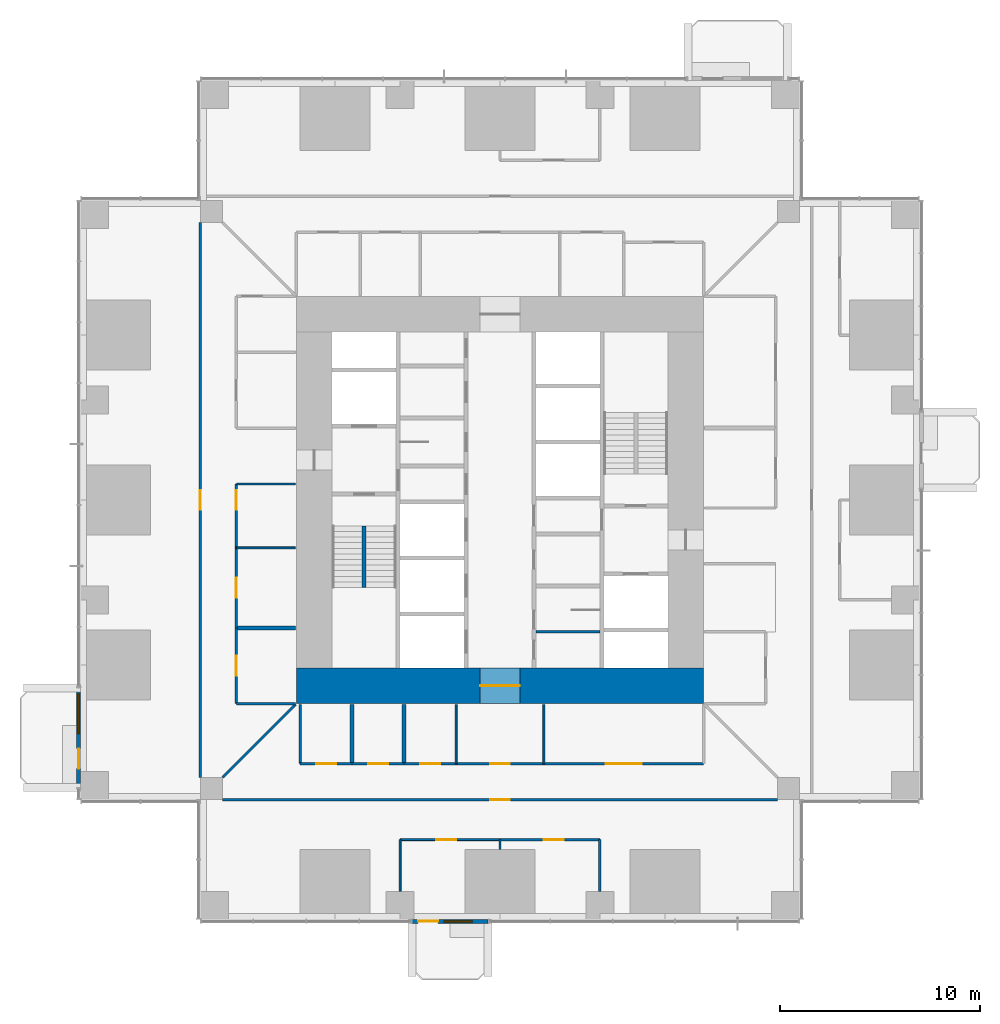
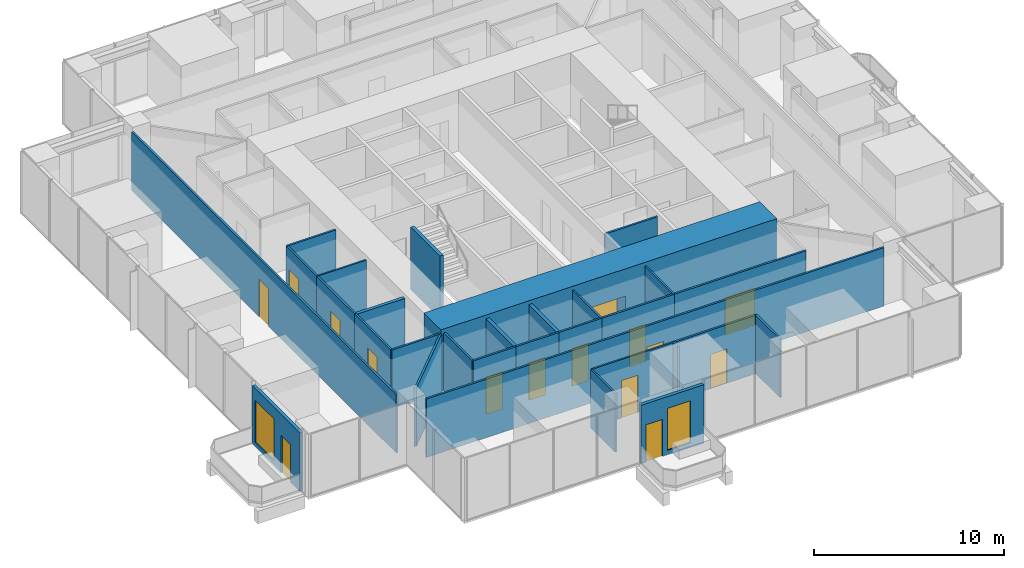
# One storey, part 11 of 17: 30 walls, 15 doors, 2 windows, 17 openings.
"""IFC4 building model written with IfcOpenShell, lengths in metres."""

import ifcopenshell
import ifcopenshell.guid

model = None  # the IFC model being written
_history = None  # IfcOwnerHistory: only IFC2X3 demands one
_inside = {}  # id of a spatial element -> (the spatial element, [elements in it])
_under = {}  # id of a project, library or spatial element -> (it, [spatial elements below it])
_declared = {}  # id of a project -> (the project, [libraries it declares])
_typed = {}  # id of a type object -> (the type object, [elements of that type])
_made_of = {}  # id of a material, layer set ... -> (it, [elements and type objects made of it])


def new_model(schema):
    """Start an empty IFC model of exactly this schema.

    Asked for "IFC4X3", IfcOpenShell would pick the latest addendum, in which some entities
    have other attributes; the version numbers below select the first issue.
    IFC2X3 requires an IfcOwnerHistory on every rooted entity: one is made here for all.
    """
    global model, _history
    if schema == "IFC4X3":
        model = ifcopenshell.file(schema_version=(4, 3, 0, 0))
    else:
        model = ifcopenshell.file(schema=schema)
    _inside.clear()
    _under.clear()
    _declared.clear()
    _typed.clear()
    _made_of.clear()
    _history = None
    if model.schema == "IFC2X3":
        org = make("IfcOrganization", Name="unknown")
        user = make(
            "IfcPersonAndOrganization",
            ThePerson=make("IfcPerson", FamilyName="unknown"),
            TheOrganization=org,
        )
        app = make(
            "IfcApplication",
            ApplicationDeveloper=org,
            Version="unknown",
            ApplicationFullName="unknown",
            ApplicationIdentifier="unknown",
        )
        _history = make(
            "IfcOwnerHistory",
            OwningUser=user,
            OwningApplication=app,
            ChangeAction="ADDED",
            CreationDate=0,
        )
    return model


def make(cls, **values):
    """One entity of the class cls with the attributes given. An attribute that is None is left unset."""
    return model.create_entity(
        cls, **{name: value for name, value in values.items() if value is not None}
    )


def rooted(cls, **values):
    """An entity with a GlobalId (a new one), such as an element, a storey or a relation."""
    return make(cls, GlobalId=ifcopenshell.guid.new(), OwnerHistory=_history, **values)


def si_unit(unit_type, name, prefix=None):
    """IfcSIUnit, for example si_unit("LENGTHUNIT", "METRE", prefix="MILLI")."""
    return make("IfcSIUnit", UnitType=unit_type, Prefix=prefix, Name=name)


def assignment(units):
    """IfcUnitAssignment: the units of a project."""
    return None if units is None else make("IfcUnitAssignment", Units=units)


def point(xyz):
    """IfcCartesianPoint."""
    return None if xyz is None else make("IfcCartesianPoint", Coordinates=xyz)


def direction(xyz):
    """IfcDirection."""
    return None if xyz is None else make("IfcDirection", DirectionRatios=xyz)


def frame(location, z_axis=None, x_axis=None):
    """IfcAxis2Placement3D, a coordinate frame: its origin and axes. An axis left out is left unset."""
    return make(
        "IfcAxis2Placement3D",
        Location=point(location),
        Axis=direction(z_axis),
        RefDirection=direction(x_axis),
    )


def frame_2d(location, x_axis=None):
    """IfcAxis2Placement2D, a coordinate frame in the plane: its origin and x axis."""
    return make(
        "IfcAxis2Placement2D", Location=point(location), RefDirection=direction(x_axis)
    )


def origin():
    """The frame at (0, 0, 0) with its axes left unset."""
    return frame((0.0, 0.0, 0.0))


def place(relative_to, where):
    """IfcLocalPlacement: puts the frame where relative to a parent placement (None: the world)."""
    return make(
        "IfcLocalPlacement", PlacementRelTo=relative_to, RelativePlacement=where
    )


def context(
    kind, dimensions, precision=None, world=None, true_north=None, identifier=None
):
    """IfcGeometricRepresentationContext, for example the 3D "Model" context."""
    return make(
        "IfcGeometricRepresentationContext",
        ContextIdentifier=identifier,
        ContextType=kind,
        CoordinateSpaceDimension=dimensions,
        Precision=precision,
        WorldCoordinateSystem=world,
        TrueNorth=true_north,
    )


def subcontext(parent, identifier, kind, view, scale=None):
    """IfcGeometricRepresentationSubContext, for example "Body" below "Model"."""
    return make(
        "IfcGeometricRepresentationSubContext",
        ContextIdentifier=identifier,
        ContextType=kind,
        ParentContext=parent,
        TargetScale=scale,
        TargetView=view,
    )


def project(units=None, contexts=None):
    """IfcProject with its units and contexts."""
    return rooted(
        "IfcProject",
        Name="project",
        RepresentationContexts=contexts,
        UnitsInContext=assignment(units),
    )


def spatial(cls, under=None, at=None, **own):
    """A site, building, storey or space (cls), placed at a placement, below another one or the project."""
    s = rooted(cls, ObjectPlacement=at, **own)
    if under is not None:
        _under.setdefault(under.id(), (under, []))[1].append(s)
    return s


def profile(cls, at=None, kind="AREA", **sizes):
    """A parametric profile (cls). Its sizes go by their IFC names, for example OverallWidth=200.0."""
    return make(cls, ProfileType=kind, Position=at, **sizes)


def rectangle(**sizes):
    """IfcRectangleProfileDef."""
    return profile("IfcRectangleProfileDef", **sizes)


def extrude(swept, where, along, depth):
    """IfcExtrudedAreaSolid: the profile swept, set in the frame where, extruded along a direction by depth."""
    return make(
        "IfcExtrudedAreaSolid",
        SweptArea=swept,
        Position=where,
        ExtrudedDirection=direction(along),
        Depth=depth,
    )


def shape(context_of_items, identifier, shape_type, items):
    """IfcShapeRepresentation: the items that make up one representation, for example the "Body"."""
    return make(
        "IfcShapeRepresentation",
        ContextOfItems=context_of_items,
        RepresentationIdentifier=identifier,
        RepresentationType=shape_type,
        Items=items,
    )


def material(Name=None, Category=None):
    """IfcMaterial."""
    return make("IfcMaterial", Name=Name, Category=Category)


def layer(
    of_material, thickness, ventilated=None, Name=None, Category=None, Priority=None
):
    """IfcMaterialLayer: one layer of a wall or slab, of a material (None: an air gap)."""
    return make(
        "IfcMaterialLayer",
        Material=of_material,
        LayerThickness=thickness,
        IsVentilated=ventilated,
        Name=Name,
        Category=Category,
        Priority=Priority,
    )


def layer_set(layers, Name=None):
    """IfcMaterialLayerSet."""
    return make("IfcMaterialLayerSet", MaterialLayers=layers, LayerSetName=Name)


def made_of(thing, what):
    """Note that an element or type object is made of a material, layer set ...; save() writes the relation."""
    if what is not None:
        _made_of.setdefault(what.id(), (what, []))[1].append(thing)
    return thing


def type_object(cls, material=None, **own):
    """A type object (cls), such as IfcWallType, which elements share."""
    return made_of(rooted(cls, **own), material)


def element(
    cls,
    number,
    at=None,
    inside=None,
    cuts=None,
    type_object=None,
    material=None,
    context=None,
    identifier="Body",
    shape_type=None,
    held_by="IfcProductDefinitionShape",
    body=None,
    shapes=None,
    **own,
):
    """One element of the class cls, such as IfcWall. Its Tag is "e" and its number.

    at: its placement. inside: the storey or other place that contains it. cuts: it is an
    opening in that element (IfcRelVoidsElement). A single representation is given by context,
    identifier, shape_type and body (its items); several are given by shapes. held_by: the class
    of the entity that holds the representations. save() writes the other relations.
    """
    e = rooted(cls, Tag="e%d" % number, ObjectPlacement=at, **own)
    if body is not None:
        shapes = [shape(context, identifier, shape_type, body)]
    if shapes is not None:
        e.Representation = make(held_by, Representations=shapes)
    if inside is not None:
        _inside.setdefault(inside.id(), (inside, []))[1].append(e)
    if cuts is not None:
        rooted(
            "IfcRelVoidsElement", RelatingBuildingElement=cuts, RelatedOpeningElement=e
        )
    if type_object is not None:
        _typed.setdefault(type_object.id(), (type_object, []))[1].append(e)
    return made_of(e, material)


def fill(opening, filler):
    """IfcRelFillsElement: the door or window that sits in an opening."""
    return rooted(
        "IfcRelFillsElement",
        RelatingOpeningElement=opening,
        RelatedBuildingElement=filler,
    )


def aggregate(whole, parts):
    """IfcRelAggregates: a whole, such as a stair, and the parts it consists of."""
    return rooted("IfcRelAggregates", RelatingObject=whole, RelatedObjects=parts)


def save(model, path):
    """Write the relations noted so far, then the file.

    IfcRelAggregates (storeys below a building ...), IfcRelContainedInSpatialStructure (elements
    in a storey), IfcRelDefinesByType, IfcRelAssociatesMaterial and IfcRelDeclares: one each for
    every whole, place, type object, material and project.
    """
    for whole, parts in _under.values():
        aggregate(whole, parts)
    for where, things in _inside.values():
        rooted(
            "IfcRelContainedInSpatialStructure",
            RelatedElements=things,
            RelatingStructure=where,
        )
    for kind, things in _typed.values():
        rooted("IfcRelDefinesByType", RelatedObjects=things, RelatingType=kind)
    for what, things in _made_of.values():
        rooted("IfcRelAssociatesMaterial", RelatedObjects=things, RelatingMaterial=what)
    for by, libraries in _declared.values():
        rooted("IfcRelDeclares", RelatingContext=by, RelatedDefinitions=libraries)
    model.write(path)


model = new_model("IFC4")

# Units and contexts
model_context = context("Model", 3, precision=1e-05, world=origin(), true_north=direction((0.0, 1.0)))
body_context = subcontext(model_context, "Body", "Model", "MODEL_VIEW")
ifc_project = project(units=[si_unit("LENGTHUNIT", "METRE"), si_unit("AREAUNIT", "SQUARE_METRE"), si_unit("VOLUMEUNIT", "CUBIC_METRE"), si_unit("PLANEANGLEUNIT", "RADIAN"), si_unit("MASSUNIT", "GRAM", prefix="KILO")], contexts=[model_context])

# Site, building, storey
site_placement = place(None, origin())
site = spatial("IfcSite", under=ifc_project, at=site_placement, CompositionType="ELEMENT")
building_placement = place(site_placement, origin())
building = spatial("IfcBuilding", under=site, at=building_placement, Name="Svetlomir Tower", CompositionType="ELEMENT")
storey_placement = place(building_placement, frame((0.0, 0.0, 62.5)))
storey = spatial("IfcBuildingStorey", under=building, at=storey_placement, Name="L14", CompositionType="ELEMENT", Elevation=62.5)

# Walls
ifc_material_1 = material(Name="Gypsum board on twin steel studs", Category="steel")
ifc_layer_1 = layer(ifc_material_1, 0.199951171875)
ifc_layer_set_1 = layer_set([ifc_layer_1], Name="Gypsum board on twin steel studs")
wall_type_1 = type_object("IfcWallType", Name="ACOUSTIC PARTITION 200", PredefinedType="PARTITIONING", material=ifc_layer_set_1)
for number, where, z_axis, x_axis, name in (
    (1, (7.800048828125, 14.60009765625, 0.0), (0.0, 0.0, 1.0), (1.0, 0.0, 0.0), "Acoustic partition L14"),
    (2, (13.60009765625, 7.800048828125, 0.0), (0.0, 0.0, 1.0), (0.0, 1.0, 0.0), "Acoustic partition L14"),
    (3, (16.199951171875, 7.800048828125, 0.0), (0.0, 0.0, 1.0), (0.0, 1.0, 0.0), "Acoustic partition L14"),
):
    element("IfcWall", number, at=place(storey_placement, frame(where, z_axis=z_axis, x_axis=x_axis)), inside=storey, type_object=wall_type_1, Name=name, PredefinedType="PARTITIONING", context=body_context, shape_type="SweptSolid", body=[
        extrude(rectangle(XDim=2.949951171875, YDim=0.199951171875, at=frame_2d((1.47509765625, 0.0))), origin(), (0.0, 0.0, 1.0), 3.75),
    ])

# Wall, openings, door, window
ifc_material_2 = material(Name="Bronze anodised aluminium glazed screen", Category="aluminium")
ifc_layer_2 = layer(ifc_material_2, 0.199951171875)
ifc_layer_set_2 = layer_set([ifc_layer_2], Name="Bronze anodised aluminium glazed screen")
wall_type_2 = type_object("IfcWallType", Name="BALCONY SCREEN WALL 200", PredefinedType="USERDEFINED", material=ifc_layer_set_2)
wall_1_placement = place(storey_placement, frame((16.60009765625, -0.10009765625, 0.0), z_axis=(0.0, 0.0, 1.0), x_axis=(1.0, 0.0, 0.0)))
wall_1 = element("IfcWall", 4, at=wall_1_placement, inside=storey, type_object=wall_type_2, Name="Balcony screen S", ObjectType="GLAZED SCREEN", PredefinedType="USERDEFINED", context=body_context, shape_type="SweptSolid", body=[
    extrude(rectangle(XDim=3.7998046875, YDim=0.199951171875, at=frame_2d((1.89990234375, 0.0))), origin(), (0.0, 0.0, 1.0), 3.75),
])
opening_1_placement = place(wall_1_placement, frame((0.300048828125, 0.0, 0.0)))
opening_1 = element("IfcOpeningElement", 5, at=opening_1_placement, cuts=wall_1, Name="Opening BD", PredefinedType="OPENING", context=body_context, shape_type="SweptSolid", body=[
    extrude(rectangle(XDim=1.0, YDim=2.39990234375, at=frame_2d((0.5, 1.199951171875))), frame((0.0, 0.10986328125, 0.0), z_axis=(0.0, -1.0, 0.0), x_axis=(1.0, 0.0, 0.0)), (0.0, 0.0, 1.0), 0.219970703125),
])
opening_2_placement = place(wall_1_placement, frame((1.60009765625, 0.0, 0.300048828125)))
opening_2 = element("IfcOpeningElement", 6, at=opening_2_placement, cuts=wall_1, Name="Opening WS2", PredefinedType="OPENING", context=body_context, shape_type="SweptSolid", body=[
    extrude(rectangle(XDim=1.39990234375, YDim=2.699951171875, at=frame_2d((0.699951171875, 1.35009765625))), frame((0.0, 0.10986328125, 0.0), z_axis=(0.0, -1.0, 0.0), x_axis=(1.0, 0.0, 0.0)), (0.0, 0.0, 1.0), 0.219970703125),
])
ifc_material_3 = material(Name="Bronze anodised aluminium glazed door", Category="aluminium")
door_type_1 = type_object("IfcDoorType", Name="BALCONY DOOR BD 1000x2400", OperationType="SINGLE_SWING_LEFT", PredefinedType="DOOR", material=ifc_material_3)
door_1_placement = place(opening_1_placement, origin())
door_1 = element("IfcDoor", 7, at=door_1_placement, inside=storey, type_object=door_type_1, Name="Balcony screen S door", OperationType="SINGLE_SWING_LEFT", OverallHeight=2.39990234375, OverallWidth=1.0, PredefinedType="DOOR", context=body_context, shape_type="SweptSolid", body=[
    extrude(rectangle(XDim=1.0, YDim=2.39990234375, at=frame_2d((0.5, 1.199951171875))), frame((0.0, 0.02490234375, 0.0), z_axis=(0.0, -1.0, 0.0), x_axis=(1.0, 0.0, 0.0)), (0.0, 0.0, 1.0), 0.050048828125),
])
fill(opening_1, door_1)
ifc_material_4 = material(Name="Bronze anodised aluminium window", Category="aluminium")
window_type_1 = type_object("IfcWindowType", Name="SCREEN WINDOW WS2 1400x2700", PartitioningType="SINGLE_PANEL", PredefinedType="WINDOW", material=ifc_material_4)
window_1_placement = place(opening_2_placement, origin())
window_1 = element("IfcWindow", 8, at=window_1_placement, inside=storey, type_object=window_type_1, Name="Balcony screen S window 1", OverallHeight=2.699951171875, OverallWidth=1.39990234375, PartitioningType="SINGLE_PANEL", PredefinedType="WINDOW", context=body_context, shape_type="SweptSolid", body=[
    extrude(rectangle(XDim=1.39990234375, YDim=2.699951171875, at=frame_2d((0.699951171875, 1.35009765625))), frame((0.0, 0.030029296875, 0.0), z_axis=(0.0, -1.0, 0.0), x_axis=(1.0, 0.0, 0.0)), (0.0, 0.0, 1.0), 0.06005859375),
])
fill(opening_2, window_1)

wall_2_placement = place(storey_placement, frame((-0.10009765625, 11.60009765625, 0.0), z_axis=(0.0, 0.0, 1.0), x_axis=(0.0, -1.0, 0.0)))
wall_2 = element("IfcWall", 9, at=wall_2_placement, inside=storey, type_object=wall_type_2, Name="Balcony screen W", ObjectType="GLAZED SCREEN", PredefinedType="USERDEFINED", context=body_context, shape_type="SweptSolid", body=[
    extrude(rectangle(XDim=5.0, YDim=0.199951171875, at=frame_2d((2.5, 0.0))), origin(), (0.0, 0.0, 1.0), 3.75),
])
opening_3_placement = place(wall_2_placement, frame((3.050048828125, 0.0, 0.0)))
opening_3 = element("IfcOpeningElement", 10, at=opening_3_placement, cuts=wall_2, Name="Opening BD", PredefinedType="OPENING", context=body_context, shape_type="SweptSolid", body=[
    extrude(rectangle(XDim=1.0, YDim=2.39990234375, at=frame_2d((0.5, 1.199951171875))), frame((0.0, 0.10986328125, 0.0), z_axis=(0.0, -1.0, 0.0), x_axis=(1.0, 0.0, 0.0)), (0.0, 0.0, 1.0), 0.219970703125),
])
opening_4_placement = place(wall_2_placement, frame((0.300048828125, 0.0, 0.300048828125)))
opening_4 = element("IfcOpeningElement", 11, at=opening_4_placement, cuts=wall_2, Name="Opening WS", PredefinedType="OPENING", context=body_context, shape_type="SweptSolid", body=[
    extrude(rectangle(XDim=2.0, YDim=2.699951171875, at=frame_2d((1.0, 1.35009765625))), frame((0.0, 0.10986328125, 0.0), z_axis=(0.0, -1.0, 0.0), x_axis=(1.0, 0.0, 0.0)), (0.0, 0.0, 1.0), 0.219970703125),
])
door_2_placement = place(opening_3_placement, origin())
door_2 = element("IfcDoor", 12, at=door_2_placement, inside=storey, type_object=door_type_1, Name="Balcony screen W door", OperationType="SINGLE_SWING_LEFT", OverallHeight=2.39990234375, OverallWidth=1.0, PredefinedType="DOOR", context=body_context, shape_type="SweptSolid", body=[
    extrude(rectangle(XDim=1.0, YDim=2.39990234375, at=frame_2d((0.5, 1.199951171875))), frame((0.0, 0.02490234375, 0.0), z_axis=(0.0, -1.0, 0.0), x_axis=(1.0, 0.0, 0.0)), (0.0, 0.0, 1.0), 0.050048828125),
])
fill(opening_3, door_2)
ifc_material_5 = material(Name="Bronze anodised aluminium window", Category="aluminium")
window_type_2 = type_object("IfcWindowType", Name="SCREEN WINDOW WS 2000x2700", PartitioningType="SINGLE_PANEL", PredefinedType="WINDOW", material=ifc_material_5)
window_2_placement = place(opening_4_placement, origin())
window_2 = element("IfcWindow", 13, at=window_2_placement, inside=storey, type_object=window_type_2, Name="Balcony screen W window 1", OverallHeight=2.699951171875, OverallWidth=2.0, PartitioningType="SINGLE_PANEL", PredefinedType="WINDOW", context=body_context, shape_type="SweptSolid", body=[
    extrude(rectangle(XDim=2.0, YDim=2.699951171875, at=frame_2d((1.0, 1.35009765625))), frame((0.0, 0.030029296875, 0.0), z_axis=(0.0, -1.0, 0.0), x_axis=(1.0, 0.0, 0.0)), (0.0, 0.0, 1.0), 0.06005859375),
])
fill(opening_4, window_2)

# Wall, opening, door
ifc_material_6 = material(Name="Concrete C60/75", Category="concrete")
ifc_layer_3 = layer(ifc_material_6, 1.800048828125)
ifc_layer_set_3 = layer_set([ifc_layer_3], Name="Concrete C60/75")
wall_type_3 = type_object("IfcWallType", Name="CORE WALL 1800", PredefinedType="SHEAR", material=ifc_layer_set_3)
wall_3_placement = place(storey_placement, frame((10.800048828125, 11.699951171875, -0.050048828125), z_axis=(0.0, 0.0, 1.0), x_axis=(1.0, 0.0, 0.0)))
wall_3 = element("IfcWall", 14, at=wall_3_placement, inside=storey, type_object=wall_type_3, Name="Core wall south L14", PredefinedType="SHEAR", context=body_context, shape_type="SweptSolid", body=[
    extrude(rectangle(XDim=20.39990234375, YDim=1.800048828125, at=frame_2d((10.199951171875, 0.0))), origin(), (0.0, 0.0, 1.0), 4.0),
])
opening_5_placement = place(wall_3_placement, frame((9.199951171875, 0.0, 0.050048828125)))
opening_5 = element("IfcOpeningElement", 15, at=opening_5_placement, cuts=wall_3, Name="Opening DL", PredefinedType="OPENING", context=body_context, shape_type="SweptSolid", body=[
    extrude(rectangle(XDim=2.0, YDim=2.199951171875, at=frame_2d((1.0, 1.10009765625))), frame((0.0, 0.91015625, 0.0), z_axis=(0.0, -1.0, 0.0), x_axis=(1.0, 0.0, 0.0)), (0.0, 0.0, 1.0), 1.820068359375),
])
ifc_material_7 = material(Name="Steel fire door", Category="steel")
door_type_2 = type_object("IfcDoorType", Name="DOOR DL 2000x2200", OperationType="DOUBLE_DOOR_SINGLE_SWING", PredefinedType="DOOR", material=ifc_material_7)
door_3_placement = place(opening_5_placement, origin())
door_3 = element("IfcDoor", 16, at=door_3_placement, inside=storey, type_object=door_type_2, Name="Lift lobby south door L14", OperationType="DOUBLE_DOOR_SINGLE_SWING", OverallHeight=2.199951171875, OverallWidth=2.0, PredefinedType="DOOR", context=body_context, shape_type="SweptSolid", body=[
    extrude(rectangle(XDim=2.0, YDim=2.199951171875, at=frame_2d((1.0, 1.10009765625))), frame((0.0, 0.02490234375, 0.0), z_axis=(0.0, -1.0, 0.0), x_axis=(1.0, 0.0, 0.0)), (0.0, 0.0, 1.0), 0.050048828125),
])
fill(opening_5, door_3)

# Walls
ifc_material_8 = material(Name="Framed laminated glass partition", Category="glass")
ifc_layer_4 = layer(ifc_material_8, 0.10009765625)
ifc_layer_set_4 = layer_set([ifc_layer_4], Name="Framed laminated glass partition")
wall_type_4 = type_object("IfcWallType", Name="GLAZED PARTITION 100", PredefinedType="PARTITIONING", material=ifc_layer_set_4)
wall_4_placement = place(storey_placement, frame((7.800048828125, 18.60009765625, 0.0), z_axis=(0.0, 0.0, 1.0), x_axis=(1.0, 0.0, 0.0)))
element("IfcWall", 17, at=wall_4_placement, inside=storey, type_object=wall_type_4, Name="Glazed partition L14", PredefinedType="PARTITIONING", context=body_context, shape_type="SweptSolid", body=[
    extrude(rectangle(XDim=2.949951171875, YDim=0.10009765625, at=frame_2d((1.47509765625, 0.0))), origin(), (0.0, 0.0, 1.0), 3.75),
])
wall_5_placement = place(storey_placement, frame((16.0, 1.409912109375, 0.0), z_axis=(0.0, 0.0, 1.0), x_axis=(0.0, 1.0, 0.0)))
element("IfcWall", 18, at=wall_5_placement, inside=storey, type_object=wall_type_4, Name="Glazed partition L14", PredefinedType="PARTITIONING", context=body_context, shape_type="SweptSolid", body=[
    extrude(rectangle(XDim=2.590087890625, YDim=0.10009765625, at=frame_2d((1.294921875, 0.0))), origin(), (0.0, 0.0, 1.0), 3.75),
])

# Wall, opening, door
wall_6_placement = place(storey_placement, frame((16.0, 4.0, 0.0), z_axis=(0.0, 0.0, 1.0), x_axis=(1.0, 0.0, 0.0)))
wall_6 = element("IfcWall", 19, at=wall_6_placement, inside=storey, type_object=wall_type_4, Name="Glazed partition L14", PredefinedType="PARTITIONING", context=body_context, shape_type="SweptSolid", body=[
    extrude(rectangle(XDim=5.0, YDim=0.10009765625, at=frame_2d((2.5, 0.0))), origin(), (0.0, 0.0, 1.0), 3.75),
])
opening_6_placement = place(wall_6_placement, frame((1.800048828125, 0.0, 0.0)))
opening_6 = element("IfcOpeningElement", 20, at=opening_6_placement, cuts=wall_6, Name="Opening DG", PredefinedType="OPENING", context=body_context, shape_type="SweptSolid", body=[
    extrude(rectangle(XDim=1.0, YDim=2.39990234375, at=frame_2d((0.5, 1.199951171875))), frame((0.0, 0.06005859375, 0.0), z_axis=(0.0, -1.0, 0.0), x_axis=(1.0, 0.0, 0.0)), (0.0, 0.0, 1.0), 0.1201171875),
])
ifc_material_9 = material(Name="Framed laminated glass door", Category="glass")
door_type_3 = type_object("IfcDoorType", Name="GLAZED DOOR DG 1000x2400", OperationType="SINGLE_SWING_LEFT", PredefinedType="DOOR", material=ifc_material_9)
door_4_placement = place(opening_6_placement, origin())
door_4 = element("IfcDoor", 21, at=door_4_placement, inside=storey, type_object=door_type_3, Name="Staff break-out and kitchenette door L14", OperationType="SINGLE_SWING_RIGHT", OverallHeight=2.39990234375, OverallWidth=1.0, PredefinedType="DOOR", context=body_context, shape_type="SweptSolid", body=[
    extrude(rectangle(XDim=1.0, YDim=2.39990234375, at=frame_2d((0.5, 1.199951171875))), frame((0.0, 0.02490234375, 0.0), z_axis=(0.0, -1.0, 0.0), x_axis=(1.0, 0.0, 0.0)), (0.0, 0.0, 1.0), 0.050048828125),
])
fill(opening_6, door_4)

# Walls
for number, where, z_axis, x_axis, name in (
    (22, (18.800048828125, 7.800048828125, 0.0), (0.0, 0.0, 1.0), (0.0, 1.0, 0.0), "Glazed partition L14"),
    (23, (23.199951171875, 7.800048828125, 0.0), (0.0, 0.0, 1.0), (0.0, 1.0, 0.0), "Glazed partition L14"),
):
    element("IfcWall", number, at=place(storey_placement, frame(where, z_axis=z_axis, x_axis=x_axis)), inside=storey, type_object=wall_type_4, Name=name, PredefinedType="PARTITIONING", context=body_context, shape_type="SweptSolid", body=[
        extrude(rectangle(XDim=2.949951171875, YDim=0.10009765625, at=frame_2d((1.47509765625, 0.0))), origin(), (0.0, 0.0, 1.0), 3.75),
    ])
ifc_material_10 = material(Name="Gypsum board on steel studs", Category="steel")
ifc_layer_5 = layer(ifc_material_10, 0.1201171875)
ifc_layer_set_5 = layer_set([ifc_layer_5], Name="Gypsum board on steel studs")
wall_type_5 = type_object("IfcWallType", Name="PARTITION 120", PredefinedType="PARTITIONING", material=ifc_layer_set_5)
wall_7_placement = place(storey_placement, frame((22.800048828125, 14.39990234375, 0.0), z_axis=(0.0, 0.0, 1.0), x_axis=(1.0, 0.0, 0.0)))
element("IfcWall", 24, at=wall_7_placement, inside=storey, type_object=wall_type_5, Name="Floor store partition L14", PredefinedType="PARTITIONING", context=body_context, shape_type="SweptSolid", body=[
    extrude(rectangle(XDim=3.199951171875, YDim=0.1201171875, at=frame_2d((1.60009765625, 0.0))), origin(), (0.0, 0.0, 1.0), 3.75),
])

# Wall, opening, door
wall_8_placement = place(storey_placement, frame((6.0, 7.110107421875, 0.0), z_axis=(0.0, 0.0, 1.0), x_axis=(0.0, 1.0, 0.0)))
wall_8 = element("IfcWall", 25, at=wall_8_placement, inside=storey, type_object=wall_type_5, Name="Partition L14", PredefinedType="PARTITIONING", context=body_context, shape_type="SweptSolid", body=[
    extrude(rectangle(XDim=27.77978515625, YDim=0.1201171875, at=frame_2d((13.889892578125, 0.0))), origin(), (0.0, 0.0, 1.0), 3.75),
])
opening_7_placement = place(wall_8_placement, frame((13.389892578125, 0.0, 0.0)))
opening_7 = element("IfcOpeningElement", 26, at=opening_7_placement, cuts=wall_8, Name="Opening DG", PredefinedType="OPENING", context=body_context, shape_type="SweptSolid", body=[
    extrude(rectangle(XDim=1.0, YDim=2.39990234375, at=frame_2d((0.5, 1.199951171875))), frame((0.0, 0.070068359375, 0.0), z_axis=(0.0, -1.0, 0.0), x_axis=(1.0, 0.0, 0.0)), (0.0, 0.0, 1.0), 0.14013671875),
])
door_5_placement = place(opening_7_placement, origin())
door_5 = element("IfcDoor", 27, at=door_5_placement, inside=storey, type_object=door_type_3, Name="Ring corridor 3 door 1 L14", OperationType="SINGLE_SWING_LEFT", OverallHeight=2.39990234375, OverallWidth=1.0, PredefinedType="DOOR", context=body_context, shape_type="SweptSolid", body=[
    extrude(rectangle(XDim=1.0, YDim=2.39990234375, at=frame_2d((0.5, 1.199951171875))), frame((0.0, 0.02490234375, 0.0), z_axis=(0.0, -1.0, 0.0), x_axis=(1.0, 0.0, 0.0)), (0.0, 0.0, 1.0), 0.050048828125),
])
fill(opening_7, door_5)

wall_9_placement = place(storey_placement, frame((7.110107421875, 6.0, 0.0), z_axis=(0.0, 0.0, 1.0), x_axis=(1.0, 0.0, 0.0)))
wall_9 = element("IfcWall", 28, at=wall_9_placement, inside=storey, type_object=wall_type_5, Name="Partition L14", PredefinedType="PARTITIONING", context=body_context, shape_type="SweptSolid", body=[
    extrude(rectangle(XDim=27.77978515625, YDim=0.1201171875, at=frame_2d((13.889892578125, 0.0))), origin(), (0.0, 0.0, 1.0), 3.75),
])
opening_8_placement = place(wall_9_placement, frame((13.389892578125, 0.0, 0.0)))
opening_8 = element("IfcOpeningElement", 29, at=opening_8_placement, cuts=wall_9, Name="Opening DG", PredefinedType="OPENING", context=body_context, shape_type="SweptSolid", body=[
    extrude(rectangle(XDim=1.0, YDim=2.39990234375, at=frame_2d((0.5, 1.199951171875))), frame((0.0, 0.070068359375, 0.0), z_axis=(0.0, -1.0, 0.0), x_axis=(1.0, 0.0, 0.0)), (0.0, 0.0, 1.0), 0.14013671875),
])
door_6_placement = place(opening_8_placement, origin())
door_6 = element("IfcDoor", 30, at=door_6_placement, inside=storey, type_object=door_type_3, Name="Ring corridor 1 door 1 L14", OperationType="SINGLE_SWING_RIGHT", OverallHeight=2.39990234375, OverallWidth=1.0, PredefinedType="DOOR", context=body_context, shape_type="SweptSolid", body=[
    extrude(rectangle(XDim=1.0, YDim=2.39990234375, at=frame_2d((0.5, 1.199951171875))), frame((0.0, 0.02490234375, 0.0), z_axis=(0.0, -1.0, 0.0), x_axis=(1.0, 0.0, 0.0)), (0.0, 0.0, 1.0), 0.050048828125),
])
fill(opening_8, door_6)

# Wall
wall_10_placement = place(storey_placement, frame((7.110107421875, 7.110107421875, 0.0), z_axis=(0.0, 0.0, 1.0), x_axis=(0.707106781187, 0.707106781187, 0.0)))
element("IfcWall", 31, at=wall_10_placement, inside=storey, type_object=wall_type_5, Name="Partition L14", PredefinedType="PARTITIONING", context=body_context, shape_type="SweptSolid", body=[
    extrude(rectangle(XDim=5.168212890625, YDim=0.1201171875, at=frame_2d((2.583984375, 0.0))), origin(), (0.0, 0.0, 1.0), 3.75),
])

# Wall, opening, door
wall_11_placement = place(storey_placement, frame((7.800048828125, 10.800048828125, 0.0), z_axis=(0.0, 0.0, 1.0), x_axis=(0.0, 1.0, 0.0)))
wall_11 = element("IfcWall", 32, at=wall_11_placement, inside=storey, type_object=wall_type_5, Name="Partition L14", PredefinedType="PARTITIONING", context=body_context, shape_type="SweptSolid", body=[
    extrude(rectangle(XDim=3.800048828125, YDim=0.1201171875, at=frame_2d((1.89990234375, 0.0))), origin(), (0.0, 0.0, 1.0), 3.75),
])
opening_9_placement = place(wall_11_placement, frame((1.39990234375, 0.0, 0.0)))
opening_9 = element("IfcOpeningElement", 33, at=opening_9_placement, cuts=wall_11, Name="Opening DG", PredefinedType="OPENING", context=body_context, shape_type="SweptSolid", body=[
    extrude(rectangle(XDim=1.0, YDim=2.39990234375, at=frame_2d((0.5, 1.199951171875))), frame((0.0, 0.070068359375, 0.0), z_axis=(0.0, -1.0, 0.0), x_axis=(1.0, 0.0, 0.0)), (0.0, 0.0, 1.0), 0.14013671875),
])
door_7_placement = place(opening_9_placement, origin())
door_7 = element("IfcDoor", 34, at=door_7_placement, inside=storey, type_object=door_type_3, Name="Counselling room door L14", OperationType="SINGLE_SWING_LEFT", OverallHeight=2.39990234375, OverallWidth=1.0, PredefinedType="DOOR", context=body_context, shape_type="SweptSolid", body=[
    extrude(rectangle(XDim=1.0, YDim=2.39990234375, at=frame_2d((0.5, 1.199951171875))), frame((0.0, 0.02490234375, 0.0), z_axis=(0.0, -1.0, 0.0), x_axis=(1.0, 0.0, 0.0)), (0.0, 0.0, 1.0), 0.050048828125),
])
fill(opening_9, door_7)

# Wall
wall_12_placement = place(storey_placement, frame((7.800048828125, 10.800048828125, 0.0), z_axis=(0.0, 0.0, 1.0), x_axis=(1.0, 0.0, 0.0)))
element("IfcWall", 35, at=wall_12_placement, inside=storey, type_object=wall_type_5, Name="Partition L14", PredefinedType="PARTITIONING", context=body_context, shape_type="SweptSolid", body=[
    extrude(rectangle(XDim=2.949951171875, YDim=0.1201171875, at=frame_2d((1.47509765625, 0.0))), origin(), (0.0, 0.0, 1.0), 3.75),
])

# Wall, opening, door
wall_13_placement = place(storey_placement, frame((7.800048828125, 14.60009765625, 0.0), z_axis=(0.0, 0.0, 1.0), x_axis=(0.0, 1.0, 0.0)))
wall_13 = element("IfcWall", 36, at=wall_13_placement, inside=storey, type_object=wall_type_5, Name="Partition L14", PredefinedType="PARTITIONING", context=body_context, shape_type="SweptSolid", body=[
    extrude(rectangle(XDim=4.0, YDim=0.1201171875, at=frame_2d((2.0, 0.0))), origin(), (0.0, 0.0, 1.0), 3.75),
])
opening_10_placement = place(wall_13_placement, frame((1.5, 0.0, 0.0)))
opening_10 = element("IfcOpeningElement", 37, at=opening_10_placement, cuts=wall_13, Name="Opening DG", PredefinedType="OPENING", context=body_context, shape_type="SweptSolid", body=[
    extrude(rectangle(XDim=1.0, YDim=2.39990234375, at=frame_2d((0.5, 1.199951171875))), frame((0.0, 0.070068359375, 0.0), z_axis=(0.0, -1.0, 0.0), x_axis=(1.0, 0.0, 0.0)), (0.0, 0.0, 1.0), 0.14013671875),
])
door_8_placement = place(opening_10_placement, origin())
door_8 = element("IfcDoor", 38, at=door_8_placement, inside=storey, type_object=door_type_3, Name="Meeting room, 4 seats door L14", OperationType="SINGLE_SWING_RIGHT", OverallHeight=2.39990234375, OverallWidth=1.0, PredefinedType="DOOR", context=body_context, shape_type="SweptSolid", body=[
    extrude(rectangle(XDim=1.0, YDim=2.39990234375, at=frame_2d((0.5, 1.199951171875))), frame((0.0, 0.02490234375, 0.0), z_axis=(0.0, -1.0, 0.0), x_axis=(1.0, 0.0, 0.0)), (0.0, 0.0, 1.0), 0.050048828125),
])
fill(opening_10, door_8)

wall_14_placement = place(storey_placement, frame((7.800048828125, 18.60009765625, 0.0), z_axis=(0.0, 0.0, 1.0), x_axis=(0.0, 1.0, 0.0)))
wall_14 = element("IfcWall", 39, at=wall_14_placement, inside=storey, type_object=wall_type_5, Name="Partition L14", PredefinedType="PARTITIONING", context=body_context, shape_type="SweptSolid", body=[
    extrude(rectangle(XDim=3.199951171875, YDim=0.1201171875, at=frame_2d((1.60009765625, 0.0))), origin(), (0.0, 0.0, 1.0), 3.75),
])
opening_11_placement = place(wall_14_placement, frame((1.89990234375, 0.0, 0.0)))
opening_11 = element("IfcOpeningElement", 40, at=opening_11_placement, cuts=wall_14, Name="Opening DG", PredefinedType="OPENING", context=body_context, shape_type="SweptSolid", body=[
    extrude(rectangle(XDim=1.0, YDim=2.39990234375, at=frame_2d((0.5, 1.199951171875))), frame((0.0, 0.070068359375, 0.0), z_axis=(0.0, -1.0, 0.0), x_axis=(1.0, 0.0, 0.0)), (0.0, 0.0, 1.0), 0.14013671875),
])
door_9_placement = place(opening_11_placement, origin())
door_9 = element("IfcDoor", 41, at=door_9_placement, inside=storey, type_object=door_type_3, Name="Ring corridor 3 door 3 L14", OperationType="SINGLE_SWING_RIGHT", OverallHeight=2.39990234375, OverallWidth=1.0, PredefinedType="DOOR", context=body_context, shape_type="SweptSolid", body=[
    extrude(rectangle(XDim=1.0, YDim=2.39990234375, at=frame_2d((0.5, 1.199951171875))), frame((0.0, 0.02490234375, 0.0), z_axis=(0.0, -1.0, 0.0), x_axis=(1.0, 0.0, 0.0)), (0.0, 0.0, 1.0), 0.050048828125),
])
fill(opening_11, door_9)

# Walls
for number, where, z_axis, x_axis, name in (
    (42, (7.800048828125, 21.800048828125, 0.0), (0.0, 0.0, 1.0), (1.0, 0.0, 0.0), "Partition L14"),
    (43, (11.0, 7.800048828125, 0.0), (0.0, 0.0, 1.0), (0.0, 1.0, 0.0), "Partition L14"),
):
    element("IfcWall", number, at=place(storey_placement, frame(where, z_axis=z_axis, x_axis=x_axis)), inside=storey, type_object=wall_type_5, Name=name, PredefinedType="PARTITIONING", context=body_context, shape_type="SweptSolid", body=[
        extrude(rectangle(XDim=2.949951171875, YDim=0.1201171875, at=frame_2d((1.47509765625, 0.0))), origin(), (0.0, 0.0, 1.0), 3.75),
    ])

# Wall, opening, door
wall_15_placement = place(storey_placement, frame((11.0, 7.800048828125, 0.0), z_axis=(0.0, 0.0, 1.0), x_axis=(1.0, 0.0, 0.0)))
wall_15 = element("IfcWall", 44, at=wall_15_placement, inside=storey, type_object=wall_type_5, Name="Partition L14", PredefinedType="PARTITIONING", context=body_context, shape_type="SweptSolid", body=[
    extrude(rectangle(XDim=2.60009765625, YDim=0.1201171875, at=frame_2d((1.300048828125, 0.0))), origin(), (0.0, 0.0, 1.0), 3.75),
])
opening_12_placement = place(wall_15_placement, frame((0.800048828125, 0.0, 0.0)))
opening_12 = element("IfcOpeningElement", 45, at=opening_12_placement, cuts=wall_15, Name="Opening DG", PredefinedType="OPENING", context=body_context, shape_type="SweptSolid", body=[
    extrude(rectangle(XDim=1.0, YDim=2.39990234375, at=frame_2d((0.5, 1.199951171875))), frame((0.0, 0.070068359375, 0.0), z_axis=(0.0, -1.0, 0.0), x_axis=(1.0, 0.0, 0.0)), (0.0, 0.0, 1.0), 0.14013671875),
])
door_10_placement = place(opening_12_placement, origin())
door_10 = element("IfcDoor", 46, at=door_10_placement, inside=storey, type_object=door_type_3, Name="Interview room 1 door L14", OperationType="SINGLE_SWING_LEFT", OverallHeight=2.39990234375, OverallWidth=1.0, PredefinedType="DOOR", context=body_context, shape_type="SweptSolid", body=[
    extrude(rectangle(XDim=1.0, YDim=2.39990234375, at=frame_2d((0.5, 1.199951171875))), frame((0.0, 0.02490234375, 0.0), z_axis=(0.0, -1.0, 0.0), x_axis=(1.0, 0.0, 0.0)), (0.0, 0.0, 1.0), 0.050048828125),
])
fill(opening_12, door_10)

wall_16_placement = place(storey_placement, frame((13.60009765625, 7.800048828125, 0.0), z_axis=(0.0, 0.0, 1.0), x_axis=(1.0, 0.0, 0.0)))
wall_16 = element("IfcWall", 47, at=wall_16_placement, inside=storey, type_object=wall_type_5, Name="Partition L14", PredefinedType="PARTITIONING", context=body_context, shape_type="SweptSolid", body=[
    extrude(rectangle(XDim=2.599853515625, YDim=0.1201171875, at=frame_2d((1.2998046875, 0.0))), origin(), (0.0, 0.0, 1.0), 3.75),
])
opening_13_placement = place(wall_16_placement, frame((0.800048828125, 0.0, 0.0)))
opening_13 = element("IfcOpeningElement", 48, at=opening_13_placement, cuts=wall_16, Name="Opening DG", PredefinedType="OPENING", context=body_context, shape_type="SweptSolid", body=[
    extrude(rectangle(XDim=1.0, YDim=2.39990234375, at=frame_2d((0.5, 1.199951171875))), frame((0.0, 0.070068359375, 0.0), z_axis=(0.0, -1.0, 0.0), x_axis=(1.0, 0.0, 0.0)), (0.0, 0.0, 1.0), 0.14013671875),
])
door_11_placement = place(opening_13_placement, origin())
door_11 = element("IfcDoor", 49, at=door_11_placement, inside=storey, type_object=door_type_3, Name="Interview room 2 door L14", OperationType="SINGLE_SWING_RIGHT", OverallHeight=2.39990234375, OverallWidth=1.0, PredefinedType="DOOR", context=body_context, shape_type="SweptSolid", body=[
    extrude(rectangle(XDim=1.0, YDim=2.39990234375, at=frame_2d((0.5, 1.199951171875))), frame((0.0, 0.02490234375, 0.0), z_axis=(0.0, -1.0, 0.0), x_axis=(1.0, 0.0, 0.0)), (0.0, 0.0, 1.0), 0.050048828125),
])
fill(opening_13, door_11)

wall_17_placement = place(storey_placement, frame((16.199951171875, 7.800048828125, 0.0), z_axis=(0.0, 0.0, 1.0), x_axis=(1.0, 0.0, 0.0)))
wall_17 = element("IfcWall", 50, at=wall_17_placement, inside=storey, type_object=wall_type_5, Name="Partition L14", PredefinedType="PARTITIONING", context=body_context, shape_type="SweptSolid", body=[
    extrude(rectangle(XDim=2.60009765625, YDim=0.1201171875, at=frame_2d((1.300048828125, 0.0))), origin(), (0.0, 0.0, 1.0), 3.75),
])
opening_14_placement = place(wall_17_placement, frame((0.800048828125, 0.0, 0.0)))
opening_14 = element("IfcOpeningElement", 51, at=opening_14_placement, cuts=wall_17, Name="Opening DG", PredefinedType="OPENING", context=body_context, shape_type="SweptSolid", body=[
    extrude(rectangle(XDim=1.0, YDim=2.39990234375, at=frame_2d((0.5, 1.199951171875))), frame((0.0, 0.070068359375, 0.0), z_axis=(0.0, -1.0, 0.0), x_axis=(1.0, 0.0, 0.0)), (0.0, 0.0, 1.0), 0.14013671875),
])
door_12_placement = place(opening_14_placement, origin())
door_12 = element("IfcDoor", 52, at=door_12_placement, inside=storey, type_object=door_type_3, Name="Interview room 3 door L14", OperationType="SINGLE_SWING_LEFT", OverallHeight=2.39990234375, OverallWidth=1.0, PredefinedType="DOOR", context=body_context, shape_type="SweptSolid", body=[
    extrude(rectangle(XDim=1.0, YDim=2.39990234375, at=frame_2d((0.5, 1.199951171875))), frame((0.0, 0.02490234375, 0.0), z_axis=(0.0, -1.0, 0.0), x_axis=(1.0, 0.0, 0.0)), (0.0, 0.0, 1.0), 0.050048828125),
])
fill(opening_14, door_12)

wall_18_placement = place(storey_placement, frame((18.800048828125, 7.800048828125, 0.0), z_axis=(0.0, 0.0, 1.0), x_axis=(1.0, 0.0, 0.0)))
wall_18 = element("IfcWall", 53, at=wall_18_placement, inside=storey, type_object=wall_type_5, Name="Partition L14", PredefinedType="PARTITIONING", context=body_context, shape_type="SweptSolid", body=[
    extrude(rectangle(XDim=4.39990234375, YDim=0.1201171875, at=frame_2d((2.199951171875, 0.0))), origin(), (0.0, 0.0, 1.0), 3.75),
])
opening_15_placement = place(wall_18_placement, frame((1.699951171875, 0.0, 0.0)))
opening_15 = element("IfcOpeningElement", 54, at=opening_15_placement, cuts=wall_18, Name="Opening DG", PredefinedType="OPENING", context=body_context, shape_type="SweptSolid", body=[
    extrude(rectangle(XDim=1.0, YDim=2.39990234375, at=frame_2d((0.5, 1.199951171875))), frame((0.0, 0.070068359375, 0.0), z_axis=(0.0, -1.0, 0.0), x_axis=(1.0, 0.0, 0.0)), (0.0, 0.0, 1.0), 0.14013671875),
])
door_13_placement = place(opening_15_placement, origin())
door_13 = element("IfcDoor", 55, at=door_13_placement, inside=storey, type_object=door_type_3, Name="Ring corridor 1 door 2 L14", OperationType="SINGLE_SWING_LEFT", OverallHeight=2.39990234375, OverallWidth=1.0, PredefinedType="DOOR", context=body_context, shape_type="SweptSolid", body=[
    extrude(rectangle(XDim=1.0, YDim=2.39990234375, at=frame_2d((0.5, 1.199951171875))), frame((0.0, 0.02490234375, 0.0), z_axis=(0.0, -1.0, 0.0), x_axis=(1.0, 0.0, 0.0)), (0.0, 0.0, 1.0), 0.050048828125),
])
fill(opening_15, door_13)

# Wall
wall_19_placement = place(storey_placement, frame((21.0, 3.510009765625, 0.0), z_axis=(0.0, 0.0, 1.0), x_axis=(0.0, 1.0, 0.0)))
element("IfcWall", 56, at=wall_19_placement, inside=storey, type_object=wall_type_5, Name="Partition L14", PredefinedType="PARTITIONING", context=body_context, shape_type="SweptSolid", body=[
    extrude(rectangle(XDim=0.489990234375, YDim=0.1201171875, at=frame_2d((0.2451171875, 0.0))), origin(), (0.0, 0.0, 1.0), 3.75),
])

# Wall, opening, door
wall_20_placement = place(storey_placement, frame((21.0, 4.0, 0.0), z_axis=(0.0, 0.0, 1.0), x_axis=(1.0, 0.0, 0.0)))
wall_20 = element("IfcWall", 57, at=wall_20_placement, inside=storey, type_object=wall_type_5, Name="Partition L14", PredefinedType="PARTITIONING", context=body_context, shape_type="SweptSolid", body=[
    extrude(rectangle(XDim=5.0, YDim=0.1201171875, at=frame_2d((2.5, 0.0))), origin(), (0.0, 0.0, 1.0), 3.75),
])
opening_16_placement = place(wall_20_placement, frame((2.199951171875, 0.0, 0.0)))
opening_16 = element("IfcOpeningElement", 58, at=opening_16_placement, cuts=wall_20, Name="Opening DR", PredefinedType="OPENING", context=body_context, shape_type="SweptSolid", body=[
    extrude(rectangle(XDim=1.0, YDim=2.199951171875, at=frame_2d((0.5, 1.10009765625))), frame((0.0, 0.070068359375, 0.0), z_axis=(0.0, -1.0, 0.0), x_axis=(1.0, 0.0, 0.0)), (0.0, 0.0, 1.0), 0.14013671875),
])
ifc_material_11 = material(Name="Timber door, glazed side light", Category="wood")
door_type_4 = type_object("IfcDoorType", Name="DOOR DR 1000x2200", OperationType="SINGLE_SWING_LEFT", PredefinedType="DOOR", material=ifc_material_11)
door_14_placement = place(opening_16_placement, origin())
door_14 = element("IfcDoor", 59, at=door_14_placement, inside=storey, type_object=door_type_4, Name="Recruitment team office door L14", OperationType="SINGLE_SWING_LEFT", OverallHeight=2.199951171875, OverallWidth=1.0, PredefinedType="DOOR", context=body_context, shape_type="SweptSolid", body=[
    extrude(rectangle(XDim=1.0, YDim=2.199951171875, at=frame_2d((0.5, 1.10009765625))), frame((0.0, 0.02490234375, 0.0), z_axis=(0.0, -1.0, 0.0), x_axis=(1.0, 0.0, 0.0)), (0.0, 0.0, 1.0), 0.050048828125),
])
fill(opening_16, door_14)

wall_21_placement = place(storey_placement, frame((23.199951171875, 7.800048828125, 0.0), z_axis=(0.0, 0.0, 1.0), x_axis=(1.0, 0.0, 0.0)))
wall_21 = element("IfcWall", 60, at=wall_21_placement, inside=storey, type_object=wall_type_5, Name="Partition L14", PredefinedType="PARTITIONING", context=body_context, shape_type="SweptSolid", body=[
    extrude(rectangle(XDim=8.0, YDim=0.1201171875, at=frame_2d((4.0, 0.0))), origin(), (0.0, 0.0, 1.0), 3.75),
])
opening_17_placement = place(wall_21_placement, frame((3.10009765625, 0.0, 0.0)))
opening_17 = element("IfcOpeningElement", 61, at=opening_17_placement, cuts=wall_21, Name="Opening DD", PredefinedType="OPENING", context=body_context, shape_type="SweptSolid", body=[
    extrude(rectangle(XDim=1.800048828125, YDim=2.39990234375, at=frame_2d((0.89990234375, 1.199951171875))), frame((0.0, 0.070068359375, 0.0), z_axis=(0.0, -1.0, 0.0), x_axis=(1.0, 0.0, 0.0)), (0.0, 0.0, 1.0), 0.14013671875),
])
ifc_material_12 = material(Name="Timber door", Category="wood")
door_type_5 = type_object("IfcDoorType", Name="DOOR DD 1800x2400", OperationType="DOUBLE_DOOR_SINGLE_SWING", PredefinedType="DOOR", material=ifc_material_12)
door_15_placement = place(opening_17_placement, origin())
door_15 = element("IfcDoor", 62, at=door_15_placement, inside=storey, type_object=door_type_5, Name="Assessment centre room, 16 seats door L14", OperationType="DOUBLE_DOOR_SINGLE_SWING", OverallHeight=2.39990234375, OverallWidth=1.800048828125, PredefinedType="DOOR", context=body_context, shape_type="SweptSolid", body=[
    extrude(rectangle(XDim=1.800048828125, YDim=2.39990234375, at=frame_2d((0.89990234375, 1.199951171875))), frame((0.0, 0.02490234375, 0.0), z_axis=(0.0, -1.0, 0.0), x_axis=(1.0, 0.0, 0.0)), (0.0, 0.0, 1.0), 0.050048828125),
])
fill(opening_17, door_15)

# Walls
wall_22_placement = place(storey_placement, frame((26.0, 1.409912109375, 0.0), z_axis=(0.0, 0.0, 1.0), x_axis=(0.0, 1.0, 0.0)))
element("IfcWall", 63, at=wall_22_placement, inside=storey, type_object=wall_type_5, Name="Partition L14", PredefinedType="PARTITIONING", context=body_context, shape_type="SweptSolid", body=[
    extrude(rectangle(XDim=2.590087890625, YDim=0.1201171875, at=frame_2d((1.294921875, 0.0))), origin(), (0.0, 0.0, 1.0), 3.75),
])
ifc_material_13 = material(Name="Concrete C60/75", Category="concrete")
ifc_layer_6 = layer(ifc_material_13, 0.199951171875)
ifc_layer_set_6 = layer_set([ifc_layer_6], Name="Concrete C60/75")
wall_type_6 = type_object("IfcWallType", Name="STAIR SPINE WALL 200", PredefinedType="PARTITIONING", material=ifc_layer_set_6)
wall_23_placement = place(storey_placement, frame((14.199951171875, 16.6201171875, 0.0), z_axis=(0.0, 0.0, 1.0), x_axis=(0.0, 1.0, 0.0)))
element("IfcWall", 64, at=wall_23_placement, inside=storey, type_object=wall_type_6, Name="Stair S1 spine wall L14", PredefinedType="PARTITIONING", context=body_context, shape_type="SweptSolid", body=[
    extrude(rectangle(XDim=3.079833984375, YDim=0.199951171875, at=frame_2d((1.5400390625, 0.0))), origin(), (0.0, 0.0, 1.0), 4.0),
])

save(model, "model.ifc")
